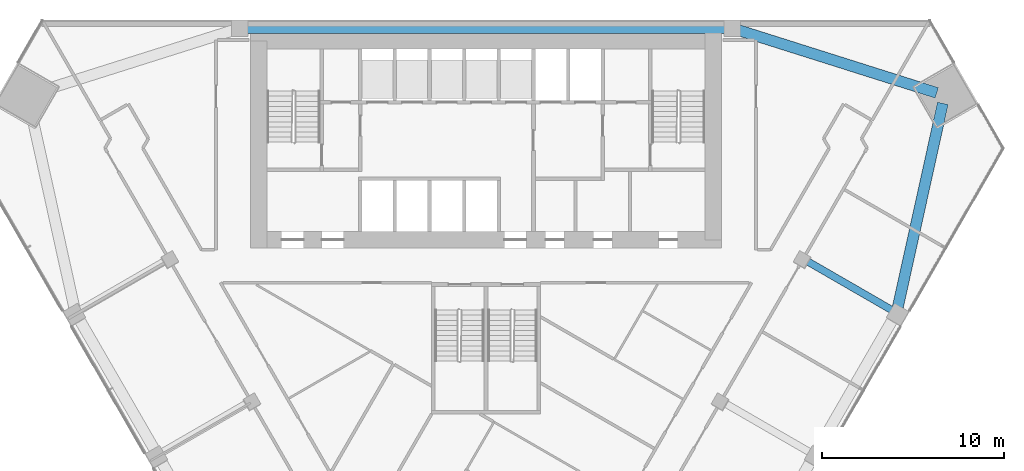
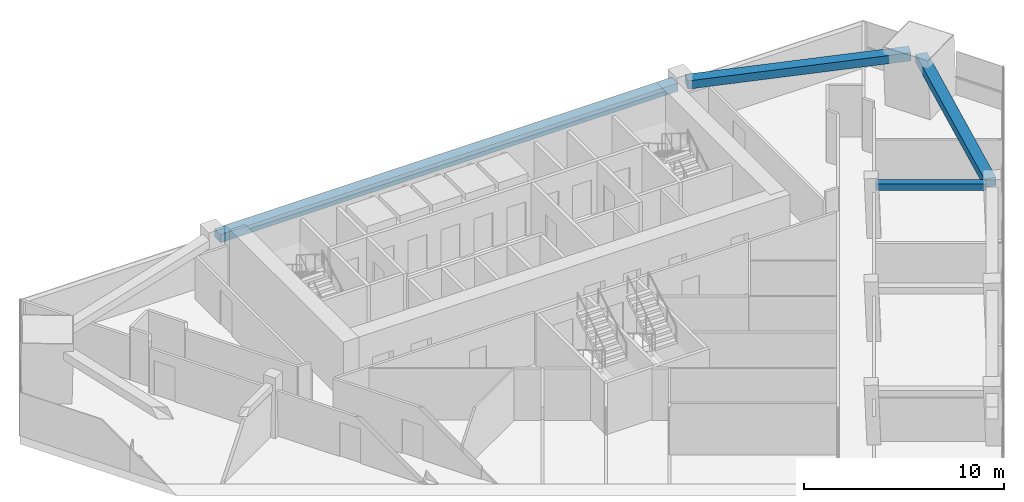
# One storey, part 6 of 14: 4 beams.
"""IFC4 building model written with IfcOpenShell, lengths in metres."""

from ifc_helpers import new_model, si_unit, direction, frame, origin, origin_2d, place, context, subcontext, project, spatial, rectangle, extrude, material, material_profile, profile_set, type_object, element, save


model = new_model("IFC4")

# Units and contexts
model_context = context("Model", 3, precision=1e-05, world=origin(), true_north=direction((0.0, 1.0)))
body_context = subcontext(model_context, "Body", "Model", "MODEL_VIEW")
ifc_project = project(units=[si_unit("LENGTHUNIT", "METRE"), si_unit("AREAUNIT", "SQUARE_METRE"), si_unit("VOLUMEUNIT", "CUBIC_METRE"), si_unit("PLANEANGLEUNIT", "RADIAN"), si_unit("MASSUNIT", "GRAM", prefix="KILO")], contexts=[model_context])

# Site, building, storey
site_placement = place(None, origin())
site = spatial("IfcSite", under=ifc_project, at=site_placement, CompositionType="ELEMENT")
building_placement = place(site_placement, origin())
building = spatial("IfcBuilding", under=site, at=building_placement, Name="Altiplano Prism Tower", CompositionType="ELEMENT")
storey_placement = place(building_placement, frame((0.0, 0.0, 115.199951171875)))
storey = spatial("IfcBuildingStorey", under=building, at=storey_placement, Name="L29", CompositionType="ELEMENT", Elevation=115.199951171875)

# Beams
ifc_material = material(Name="Concrete C60/75", Category="concrete")
ifc_material_profile_1 = material_profile(ifc_material, rectangle(XDim=0.60009765625, YDim=0.5, at=origin_2d()), Name="Edge beam 600x500")
ifc_profile_set_1 = profile_set([ifc_material_profile_1], Name="Concrete C60/75")
beam_type_1 = type_object("IfcBeamType", Name="Edge beam 600x500", PredefinedType="SPANDREL", material=ifc_profile_set_1)
for number, where, z_axis, x_axis, name in (
    (1, (107.577392578125, 89.267333984375, 2.900146484375), (0.21565043343, 0.976470629646, 0.0), (-0.976470629646, 0.21565043343, 0.0), "Edge beam P24-M2 L30"),
    (2, (109.710693359375, 101.00537109375, 2.900146484375), (-0.953472541057, 0.301479872379, 0.0), (-0.301479872379, -0.953472541057, 0.0), "Edge beam M2-P01 L30"),
):
    element("IfcBeam", number, at=place(storey_placement, frame(where, z_axis=z_axis, x_axis=x_axis)), inside=storey, type_object=beam_type_1, Name=name, PredefinedType="SPANDREL", context=body_context, shape_type="SweptSolid", body=[
        extrude(rectangle(XDim=0.60009765625, YDim=0.5, at=origin_2d()), origin(), (0.0, 0.0, 1.0), 11.43212890625),
    ])
beam_1_placement = place(storey_placement, frame((98.195068359375, 104.550048828125, 2.900146484375), z_axis=(-1.0, 0.0, 0.0), x_axis=(0.0, -1.0, 0.0)))
element("IfcBeam", 3, at=beam_1_placement, inside=storey, type_object=beam_type_1, Name="Edge beam P01-P04 L30", PredefinedType="SPANDREL", context=body_context, shape_type="SweptSolid", body=[
    extrude(rectangle(XDim=0.60009765625, YDim=0.5, at=origin_2d()), origin(), (0.0, 0.0, 1.0), 26.39013671875),
])
ifc_material_profile_2 = material_profile(ifc_material, rectangle(XDim=0.39990234375, YDim=0.39990234375, at=origin_2d()), Name="Tie beam 400x400")
ifc_profile_set_2 = profile_set([ifc_material_profile_2], Name="Concrete C60/75")
beam_type_2 = type_object("IfcBeamType", Name="Tie beam 400x400", PredefinedType="BEAM", material=ifc_profile_set_2)
beam_2_placement = place(storey_placement, frame((102.445068359375, 91.871826171875, 2.949951171875), z_axis=(0.866027073272, -0.499997108352, 0.0), x_axis=(0.499997108352, 0.866027073272, 0.0)))
element("IfcBeam", 4, at=beam_2_placement, inside=storey, type_object=beam_type_2, Name="Tie beam I24 L30", PredefinedType="BEAM", context=body_context, shape_type="SweptSolid", body=[
    extrude(rectangle(XDim=0.39990234375, YDim=0.39990234375, at=origin_2d()), origin(), (0.0, 0.0, 1.0), 5.5400390625),
])

save(model, "model.ifc")
